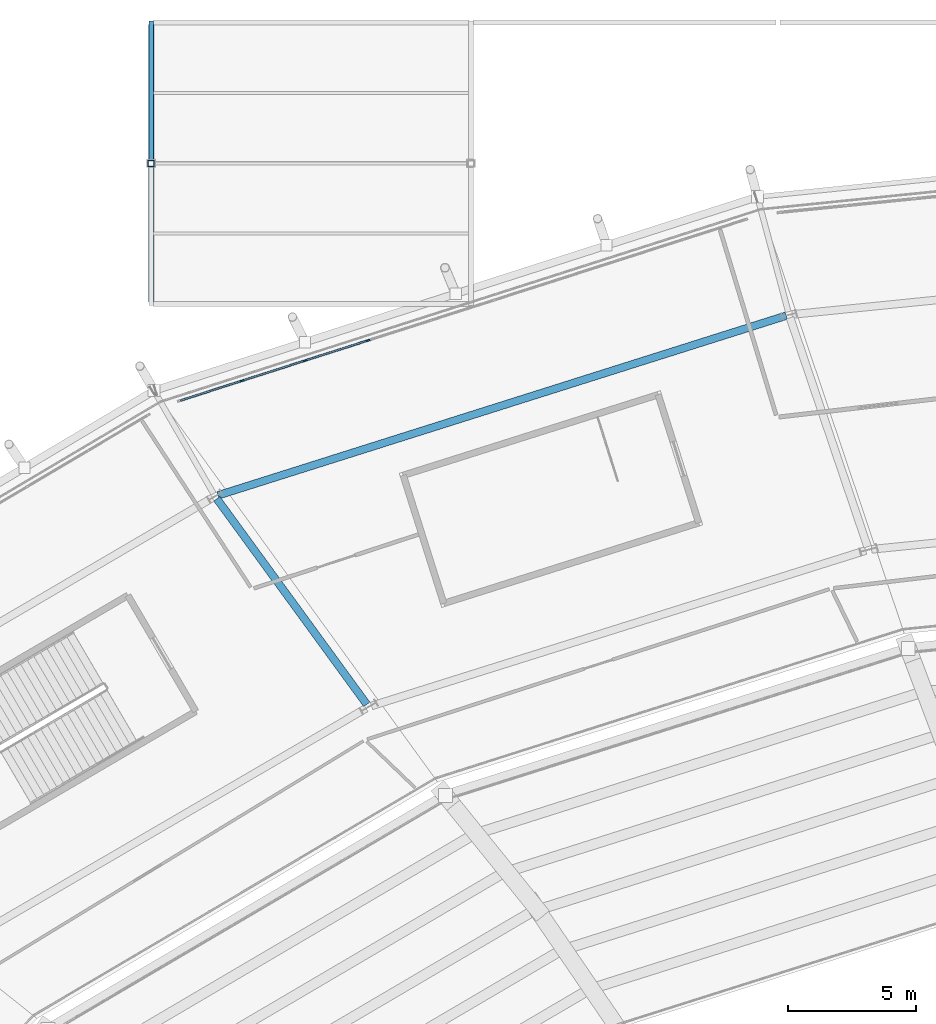
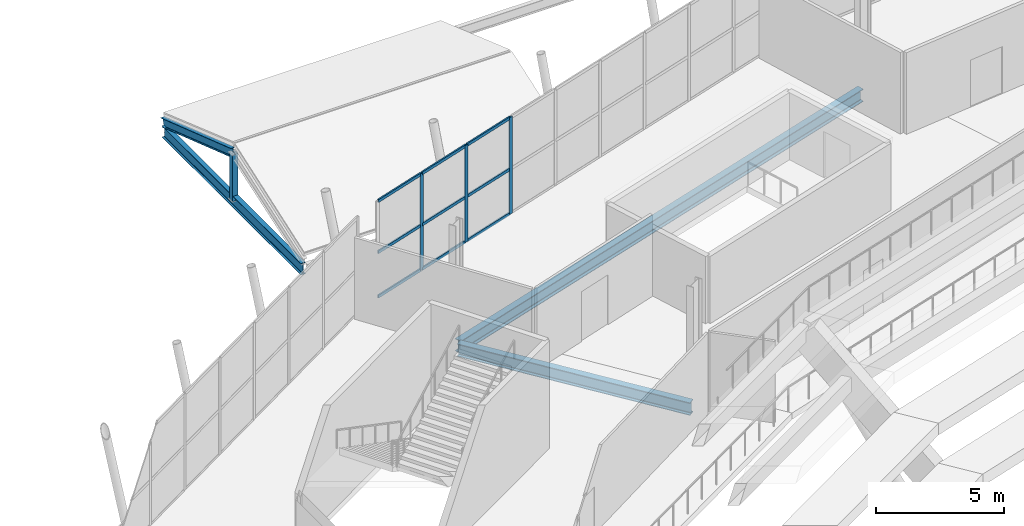
# One storey, part 50 of 126: 14 members, 3 beams, 1 element without a shape of its own.
"""IFC4 building model written with IfcOpenShell, lengths in metres."""

from ifc_helpers import new_model, si_unit, direction, frame, origin, origin_2d, place, context, subcontext, project, spatial, rectangle, hollow_rectangle, i_section, extrude, material, material_profile, profile_set, type_object, element, aggregate, save


model = new_model("IFC4")

# Units and contexts
model_context = context("Model", 3, precision=1e-05, world=origin(), true_north=direction((0.0, 1.0)))
body_context = subcontext(model_context, "Body", "Model", "MODEL_VIEW")
ifc_project = project(units=[si_unit("LENGTHUNIT", "METRE"), si_unit("AREAUNIT", "SQUARE_METRE"), si_unit("VOLUMEUNIT", "CUBIC_METRE"), si_unit("PLANEANGLEUNIT", "RADIAN"), si_unit("MASSUNIT", "GRAM", prefix="KILO")], contexts=[model_context])

# Site, building, storey
site_placement = place(None, origin())
site = spatial("IfcSite", under=ifc_project, at=site_placement, CompositionType="ELEMENT")
building_placement = place(site_placement, origin())
building = spatial("IfcBuilding", under=site, at=building_placement, Name="Zlatoyarsky Gate Stadium", CompositionType="ELEMENT")
storey_placement = place(building_placement, frame((0.0, 0.0, 20.800048828125)))
storey = spatial("IfcBuildingStorey", under=building, at=storey_placement, Name="L04", CompositionType="ELEMENT", Elevation=20.800048828125)

# Curtain wall, members
ifc_material_1 = material(Name="Thermally broken anodised aluminium curtain wall", Category="aluminium")
curtain_wall_type = type_object("IfcCurtainWallType", Name="UNITISED MEDIA RING GLAZING L04", PredefinedType="USERDEFINED", material=ifc_material_1)
curtain_wall_placement = place(storey_placement, origin())
curtain_wall = element("IfcCurtainWall", 1, at=curtain_wall_placement, inside=storey, type_object=curtain_wall_type, Name="Curtain wall CW-L04-07", ObjectType="UNITISED GLAZING", PredefinedType="USERDEFINED")
ifc_material_2 = material(Name="Anodised aluminium 6063-T6", Category="aluminium")
ifc_material_profile_1 = material_profile(ifc_material_2, rectangle(XDim=0.06494140625, YDim=0.159912109375, at=origin_2d()), Name="ALU 65X160")
ifc_profile_set_1 = profile_set([ifc_material_profile_1], Name="Anodised aluminium 6063-T6")
member_type_1 = type_object("IfcMemberType", Name="ALUMINIUM MULLION 65X160", PredefinedType="MULLION", material=ifc_profile_set_1)
member_1_placement = place(storey_placement, frame((70.475341796875, 147.578125, 0.0), z_axis=(0.0, 0.0, 1.0), x_axis=(0.305065730928, -0.952331297298, 0.0)))
member_1 = element("IfcMember", 2, at=member_1_placement, type_object=member_type_1, Name="CW-UG4 mullion 7", PredefinedType="MULLION", context=body_context, shape_type="SweptSolid", body=[
    extrude(rectangle(XDim=0.06494140625, YDim=0.159912109375, at=origin_2d()), origin(), (0.0, 0.0, 1.0), 4.619873046875),
])
member_2_placement = place(storey_placement, frame((68.01171875, 146.788818359375, 0.0), z_axis=(0.0, 0.0, 1.0), x_axis=(0.305065730928, -0.952331297298, 0.0)))
member_2 = element("IfcMember", 3, at=member_2_placement, type_object=member_type_1, Name="CW-UG4 mullion 8", PredefinedType="MULLION", context=body_context, shape_type="SweptSolid", body=[
    extrude(rectangle(XDim=0.06494140625, YDim=0.159912109375, at=origin_2d()), origin(), (0.0, 0.0, 1.0), 4.619873046875),
])
member_3_placement = place(storey_placement, frame((65.5478515625, 145.999755859375, 0.0), z_axis=(0.0, 0.0, 1.0), x_axis=(0.305065730928, -0.952331297298, 0.0)))
member_3 = element("IfcMember", 4, at=member_3_placement, type_object=member_type_1, Name="CW-UG4 mullion 9", PredefinedType="MULLION", context=body_context, shape_type="SweptSolid", body=[
    extrude(rectangle(XDim=0.06494140625, YDim=0.159912109375, at=origin_2d()), origin(), (0.0, 0.0, 1.0), 4.619873046875),
])
ifc_material_profile_2 = material_profile(ifc_material_2, rectangle(XDim=0.06494140625, YDim=0.139892578125, at=origin_2d()), Name="ALU 65X140")
ifc_profile_set_2 = profile_set([ifc_material_profile_2], Name="Anodised aluminium 6063-T6")
member_type_2 = type_object("IfcMemberType", Name="ALUMINIUM TRANSOM 65X140", PredefinedType="USERDEFINED", material=ifc_profile_set_2)
member_4_placement = place(storey_placement, frame((70.4443359375, 147.568115234375, 0.032470703125), z_axis=(-0.952344312089, -0.305025099349, 0.0), x_axis=(0.305025099349, -0.952344312089, 0.0)))
member_4 = element("IfcMember", 5, at=member_4_placement, type_object=member_type_2, Name="CW-UG4 transom 7.1", ObjectType="TRANSOM", PredefinedType="USERDEFINED", context=body_context, shape_type="SweptSolid", body=[
    extrude(rectangle(XDim=0.06494140625, YDim=0.139892578125, at=origin_2d()), origin(), (0.0, 0.0, 1.0), 2.52197265625),
])
member_5_placement = place(storey_placement, frame((70.4443359375, 147.568115234375, 2.14990234375), z_axis=(-0.952344312089, -0.305025099349, 0.0), x_axis=(0.305025099349, -0.952344312089, 0.0)))
member_5 = element("IfcMember", 6, at=member_5_placement, type_object=member_type_2, Name="CW-UG4 transom 7.2", ObjectType="TRANSOM", PredefinedType="USERDEFINED", context=body_context, shape_type="SweptSolid", body=[
    extrude(rectangle(XDim=0.06494140625, YDim=0.139892578125, at=origin_2d()), origin(), (0.0, 0.0, 1.0), 2.52197265625),
])
member_6_placement = place(storey_placement, frame((70.4443359375, 147.568115234375, 4.58740234375), z_axis=(-0.952344312089, -0.305025099349, 0.0), x_axis=(0.305025099349, -0.952344312089, 0.0)))
member_6 = element("IfcMember", 7, at=member_6_placement, type_object=member_type_2, Name="CW-UG4 transom 7.3", ObjectType="TRANSOM", PredefinedType="USERDEFINED", context=body_context, shape_type="SweptSolid", body=[
    extrude(rectangle(XDim=0.06494140625, YDim=0.139892578125, at=origin_2d()), origin(), (0.0, 0.0, 1.0), 2.52197265625),
])
member_7_placement = place(storey_placement, frame((67.980712890625, 146.779052734375, 0.032470703125), z_axis=(-0.95231618878, -0.305112891546, 0.0), x_axis=(0.305112891546, -0.95231618878, 0.0)))
member_7 = element("IfcMember", 8, at=member_7_placement, type_object=member_type_2, Name="CW-UG4 transom 8.1", ObjectType="TRANSOM", PredefinedType="USERDEFINED", context=body_context, shape_type="SweptSolid", body=[
    extrude(rectangle(XDim=0.06494140625, YDim=0.139892578125, at=origin_2d()), origin(), (0.0, 0.0, 1.0), 2.522216796875),
])
member_8_placement = place(storey_placement, frame((67.980712890625, 146.779052734375, 2.14990234375), z_axis=(-0.95231618878, -0.305112891546, 0.0), x_axis=(0.305112891546, -0.95231618878, 0.0)))
member_8 = element("IfcMember", 9, at=member_8_placement, type_object=member_type_2, Name="CW-UG4 transom 8.2", ObjectType="TRANSOM", PredefinedType="USERDEFINED", context=body_context, shape_type="SweptSolid", body=[
    extrude(rectangle(XDim=0.06494140625, YDim=0.139892578125, at=origin_2d()), origin(), (0.0, 0.0, 1.0), 2.522216796875),
])
member_9_placement = place(storey_placement, frame((67.980712890625, 146.779052734375, 4.58740234375), z_axis=(-0.95231618878, -0.305112891546, 0.0), x_axis=(0.305112891546, -0.95231618878, 0.0)))
member_9 = element("IfcMember", 10, at=member_9_placement, type_object=member_type_2, Name="CW-UG4 transom 8.3", ObjectType="TRANSOM", PredefinedType="USERDEFINED", context=body_context, shape_type="SweptSolid", body=[
    extrude(rectangle(XDim=0.06494140625, YDim=0.139892578125, at=origin_2d()), origin(), (0.0, 0.0, 1.0), 2.522216796875),
])
member_10_placement = place(storey_placement, frame((65.516845703125, 145.98974609375, 0.032470703125), z_axis=(-0.952325033937, -0.305085282729, 0.0), x_axis=(0.305085282729, -0.952325033937, 0.0)))
member_10 = element("IfcMember", 11, at=member_10_placement, type_object=member_type_2, Name="CW-UG4 transom 9.1", ObjectType="TRANSOM", PredefinedType="USERDEFINED", context=body_context, shape_type="SweptSolid", body=[
    extrude(rectangle(XDim=0.06494140625, YDim=0.139892578125, at=origin_2d()), origin(), (0.0, 0.0, 1.0), 2.489501953125),
])
member_11_placement = place(storey_placement, frame((65.516845703125, 145.98974609375, 2.14990234375), z_axis=(-0.952325033937, -0.305085282729, 0.0), x_axis=(0.305085282729, -0.952325033937, 0.0)))
member_11 = element("IfcMember", 12, at=member_11_placement, type_object=member_type_2, Name="CW-UG4 transom 9.2", ObjectType="TRANSOM", PredefinedType="USERDEFINED", context=body_context, shape_type="SweptSolid", body=[
    extrude(rectangle(XDim=0.06494140625, YDim=0.139892578125, at=origin_2d()), origin(), (0.0, 0.0, 1.0), 2.489501953125),
])
member_12_placement = place(storey_placement, frame((65.516845703125, 145.98974609375, 4.58740234375), z_axis=(-0.952325033937, -0.305085282729, 0.0), x_axis=(0.305085282729, -0.952325033937, 0.0)))
member_12 = element("IfcMember", 13, at=member_12_placement, type_object=member_type_2, Name="CW-UG4 transom 9.3", ObjectType="TRANSOM", PredefinedType="USERDEFINED", context=body_context, shape_type="SweptSolid", body=[
    extrude(rectangle(XDim=0.06494140625, YDim=0.139892578125, at=origin_2d()), origin(), (0.0, 0.0, 1.0), 2.489501953125),
])
aggregate(curtain_wall, [member_1, member_2, member_3, member_4, member_5, member_6, member_7, member_8, member_9, member_10, member_11, member_12])

# Beam
ifc_material_3 = material(Name="Steel S355", Category="steel")
ifc_material_profile_3 = material_profile(ifc_material_3, i_section(OverallWidth=0.2099609375, OverallDepth=0.550048828125, WebThickness=0.010986328125, FlangeThickness=0.01708984375, FilletRadius=0.02392578125, at=origin_2d()), Name="IPE 550")
ifc_profile_set_3 = profile_set([ifc_material_profile_3], Name="Steel S355")
beam_type_1 = type_object("IfcBeamType", Name="STEEL FLOOR BEAM IPE 550", PredefinedType="BEAM", material=ifc_profile_set_3)
beam_1_placement = place(storey_placement, frame((62.0, 149.080078125, -0.574951171875), z_axis=(0.0, 1.0, 0.0), x_axis=(-1.0, 0.0, 0.0)))
element("IfcBeam", 14, at=beam_1_placement, inside=storey, type_object=beam_type_1, Name="Beam B-IPE550 BM-L04-WGY-6-P", PredefinedType="BEAM", context=body_context, shape_type="SweptSolid", body=[
    extrude(i_section(OverallWidth=0.2099609375, OverallDepth=0.550048828125, WebThickness=0.010986328125, FlangeThickness=0.01708984375, FilletRadius=0.02392578125, at=origin_2d()), origin(), (0.0, 0.0, 1.0), 10.83984375),
])

# Members
ifc_material_profile_4 = material_profile(ifc_material_3, i_section(OverallWidth=0.179931640625, OverallDepth=0.39990234375, WebThickness=0.008544921875, FlangeThickness=0.013427734375, FilletRadius=0.02099609375, at=origin_2d()), Name="IPE 400")
ifc_profile_set_4 = profile_set([ifc_material_profile_4], Name="Steel S355")
member_type_3 = type_object("IfcMemberType", Name="STEEL PAVILION ROOF RAFTER IPE 400", PredefinedType="RAFTER", material=ifc_profile_set_4)
member_13_placement = place(storey_placement, frame((62.0, 160.0, -0.199951171875), z_axis=(0.0, -0.946779405011, 0.321883143776), x_axis=(1.0, 0.0, 0.0)))
element("IfcMember", 15, at=member_13_placement, inside=storey, type_object=member_type_3, Name="V2_NORTH_W roof rafter 1B", PredefinedType="RAFTER", context=body_context, shape_type="SweptSolid", body=[
    extrude(i_section(OverallWidth=0.179931640625, OverallDepth=0.39990234375, WebThickness=0.008544921875, FlangeThickness=0.013427734375, FilletRadius=0.02099609375, at=origin_2d()), origin(), (0.0, 0.0, 1.0), 5.80908203125),
])
ifc_material_profile_5 = material_profile(ifc_material_3, hollow_rectangle(XDim=0.25, YDim=0.25, WallThickness=0.01611328125, at=origin_2d()), Name="SHS 250X250X16")
ifc_profile_set_5 = profile_set([ifc_material_profile_5], Name="Steel S355")
member_type_4 = type_object("IfcMemberType", Name="STEEL PAVILION TRUSS STRUT SHS 250X250X16", PredefinedType="STRUT", material=ifc_profile_set_5)
member_14_placement = place(storey_placement, frame((62.0, 154.5, -0.550048828125), z_axis=(0.0, 0.0, 1.0), x_axis=(1.0, 0.0, 0.0)))
element("IfcMember", 16, at=member_14_placement, inside=storey, type_object=member_type_4, Name="V2_NORTH_W king post strut 1", PredefinedType="STRUT", context=body_context, shape_type="SweptSolid", body=[
    extrude(hollow_rectangle(XDim=0.25, YDim=0.25, WallThickness=0.01611328125, at=origin_2d()), origin(), (0.0, 0.0, 1.0), 2.219970703125),
])

# Beams
ifc_material_profile_6 = material_profile(ifc_material_3, i_section(OverallWidth=0.300048828125, OverallDepth=0.60009765625, WebThickness=0.015380859375, FlangeThickness=0.030029296875, FilletRadius=0.027099609375, at=origin_2d()), Name="HEB 600")
ifc_profile_set_6 = profile_set([ifc_material_profile_6], Name="Steel S355")
beam_type_2 = type_object("IfcBeamType", Name="STEEL PRIMARY GIRDER HEB 600", PredefinedType="BEAM", material=ifc_profile_set_6)
beam_2_placement = place(storey_placement, frame((86.8154296875, 148.54443359375, -0.60009765625), z_axis=(-0.953463107403, -0.301509706015, 0.0), x_axis=(0.301509706015, -0.953463107403, 0.0)))
element("IfcBeam", 17, at=beam_2_placement, inside=storey, type_object=beam_type_2, Name="Beam G-HEB600 BM-L04-CRC-07", PredefinedType="BEAM", context=body_context, shape_type="SweptSolid", body=[
    extrude(i_section(OverallWidth=0.300048828125, OverallDepth=0.60009765625, WebThickness=0.015380859375, FlangeThickness=0.030029296875, FilletRadius=0.027099609375, at=origin_2d()), origin(), (0.0, 0.0, 1.0), 23.284423828125),
])
beam_3_placement = place(storey_placement, frame((70.42919921875, 133.357666015625, -0.60009765625), z_axis=(-0.589228266457, 0.807966614415, 0.0), x_axis=(-0.807966614415, -0.589228266457, 0.0)))
element("IfcBeam", 18, at=beam_3_placement, inside=storey, type_object=beam_type_2, Name="Beam G-HEB600 BM-L04-RBC-08", PredefinedType="BEAM", context=body_context, shape_type="SweptSolid", body=[
    extrude(i_section(OverallWidth=0.300048828125, OverallDepth=0.60009765625, WebThickness=0.015380859375, FlangeThickness=0.030029296875, FilletRadius=0.027099609375, at=origin_2d()), origin(), (0.0, 0.0, 1.0), 9.9423828125),
])

save(model, "model.ifc")
